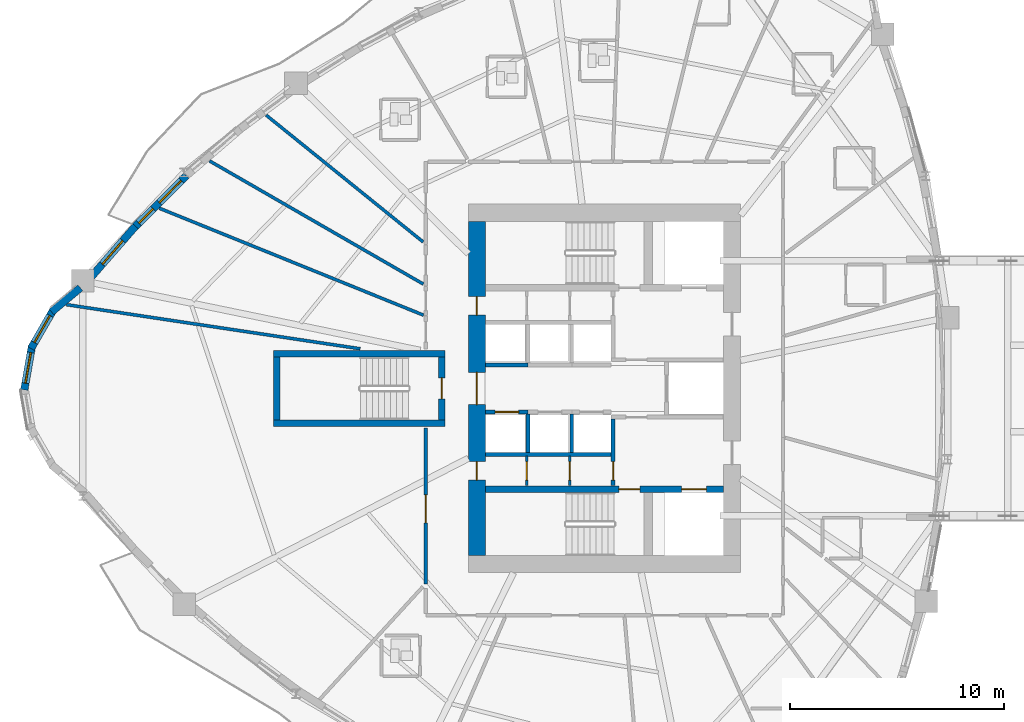
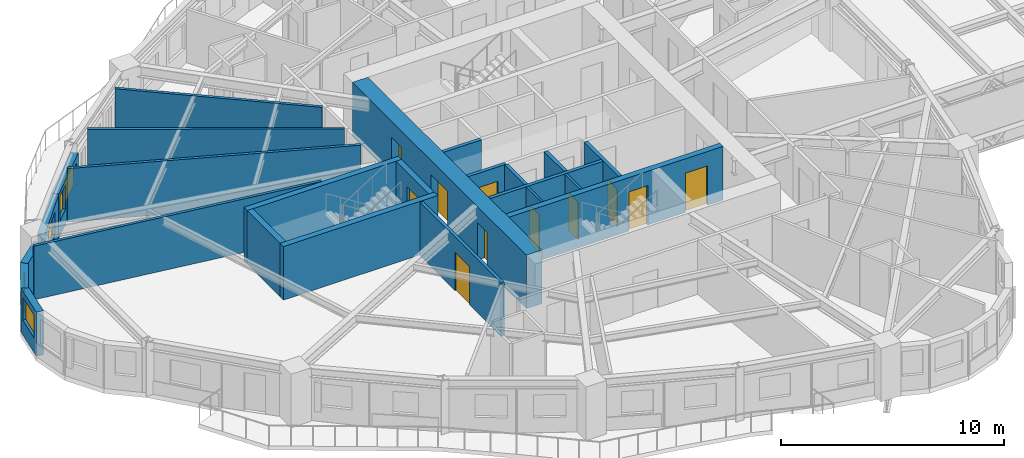
# One storey, part 7 of 18: 24 walls, 11 doors, 5 windows, 16 openings.
"""IFC4 building model written with IfcOpenShell, lengths in metres."""

from ifc_helpers import new_model, si_unit, direction, frame, frame_2d, origin, place, context, subcontext, project, spatial, rectangle, extrude, source, transform, mapped, material, layer, layer_set, type_object, element, fill, save


model = new_model("IFC4")

# Units and contexts
model_context = context("Model", 3, precision=1e-05, world=origin(), true_north=direction((0.0, 1.0)))
body_context = subcontext(model_context, "Body", "Model", "MODEL_VIEW")
ifc_project = project(units=[si_unit("LENGTHUNIT", "METRE"), si_unit("AREAUNIT", "SQUARE_METRE"), si_unit("VOLUMEUNIT", "CUBIC_METRE"), si_unit("PLANEANGLEUNIT", "RADIAN"), si_unit("MASSUNIT", "GRAM", prefix="KILO")], contexts=[model_context])

# Site, building, storey
site_placement = place(None, origin())
site = spatial("IfcSite", under=ifc_project, at=site_placement, CompositionType="ELEMENT")
building_placement = place(site_placement, origin())
building = spatial("IfcBuilding", under=site, at=building_placement, Name="Qafzar Sky-Pleat Residences", CompositionType="ELEMENT")
storey_placement = place(building_placement, frame((0.0, 0.0, 27.0)))
storey = spatial("IfcBuildingStorey", under=building, at=storey_placement, Name="L07", CompositionType="ELEMENT", Elevation=27.0)

# Wall, opening, door
ifc_material_1 = material(Name="Acoustic gypsum plasterboard partition", Category="gypsum")
ifc_layer_1 = layer(ifc_material_1, 0.159912109375)
ifc_layer_set_1 = layer_set([ifc_layer_1], Name="Acoustic gypsum plasterboard partition")
wall_type_1 = type_object("IfcWallType", Name="PART-COR-160", PredefinedType="PARTITIONING", material=ifc_layer_set_1)
wall_1_placement = place(storey_placement, frame((22.02001953125, 16.883056640625, 0.0), z_axis=(0.0, 0.0, 1.0), x_axis=(0.0, 1.0, 0.0)))
wall_1 = element("IfcWall", 1, at=wall_1_placement, inside=storey, type_object=wall_type_1, Name="L07 Partition Wall PART-L07-PW-002", PredefinedType="PARTITIONING", context=body_context, shape_type="SweptSolid", body=[
    extrude(rectangle(XDim=7.266845703125, YDim=0.159912109375, at=frame_2d((3.63330078125, 0.0))), origin(), (0.0, 0.0, 1.0), 2.93505859375),
])
opening_1_placement = place(wall_1_placement, frame((2.844970703125, 0.0, 0.0)))
opening_1 = element("IfcOpeningElement", 2, at=opening_1_placement, cuts=wall_1, Name="Opening ID-05", PredefinedType="OPENING", context=body_context, shape_type="SweptSolid", body=[
    extrude(rectangle(XDim=1.300048828125, YDim=2.10009765625, at=frame_2d((0.64990234375, 1.050048828125))), frame((0.0, 0.08984375, 0.0), z_axis=(0.0, -1.0, 0.0), x_axis=(1.0, 0.0, 0.0)), (0.0, 0.0, 1.0), 0.179931640625),
])
ifc_material_2 = material(Name="Timber-faced fire door", Category="wood")
door_type_1 = type_object("IfcDoorType", Name="DR-LNG-1300", OperationType="DOUBLE_DOOR_SINGLE_SWING", PredefinedType="DOOR", material=ifc_material_2)
shared_shape_1 = source(origin(), body_context, "Body", "SweptSolid", [
    extrude(rectangle(XDim=1.300048828125, YDim=2.10009765625, at=frame_2d((0.64990234375, 1.050048828125))), frame((0.0, 0.02490234375, 0.0), z_axis=(0.0, -1.0, 0.0), x_axis=(1.0, 0.0, 0.0)), (0.0, 0.0, 1.0), 0.050048828125),
])
door_1_placement = place(opening_1_placement, origin())
door_1 = element("IfcDoor", 3, at=door_1_placement, inside=storey, type_object=door_type_1, Name="L07 Academic Seminar Room Door", OperationType="DOUBLE_DOOR_SINGLE_SWING", OverallHeight=2.10009765625, OverallWidth=1.300048828125, PredefinedType="DOOR", context=body_context, shape_type="MappedRepresentation", body=[
    mapped(shared_shape_1, transform((0.0, 0.0, 0.0), x_axis=(1.0, 0.0, 0.0), y_axis=(0.0, 1.0, 0.0), z_axis=(0.0, 0.0, 1.0), scale=1.0)),
])
fill(opening_1, door_1)

ifc_material_3 = material(Name="Concrete blockwork partition", Category="masonry")
ifc_layer_2 = layer(ifc_material_3, 0.179931640625)
ifc_layer_set_2 = layer_set([ifc_layer_2], Name="Concrete blockwork partition")
wall_type_2 = type_object("IfcWallType", Name="PART-SHAFT-180", PredefinedType="PARTITIONING", material=ifc_layer_set_2)
wall_2_placement = place(storey_placement, frame((30.75, 21.4599609375, 0.0), z_axis=(0.0, 0.0, 1.0), x_axis=(0.0, 1.0, 0.0)))
wall_2 = element("IfcWall", 4, at=wall_2_placement, inside=storey, type_object=wall_type_2, Name="L07 Partition Wall PART-L07-FFL1-W", PredefinedType="PARTITIONING", context=body_context, shape_type="SweptSolid", body=[
    extrude(rectangle(XDim=3.110107421875, YDim=0.179931640625, at=frame_2d((1.55517578125, 0.0))), origin(), (0.0, 0.0, 1.0), 2.93505859375),
])
opening_2_placement = place(wall_2_placement, frame((0.260009765625, 0.0, 0.0)))
opening_2 = element("IfcOpeningElement", 5, at=opening_2_placement, cuts=wall_2, Name="Opening ID-09", PredefinedType="OPENING", context=body_context, shape_type="SweptSolid", body=[
    extrude(rectangle(XDim=0.860107421875, YDim=2.050048828125, at=frame_2d((0.43017578125, 1.02490234375))), frame((0.0, 0.10009765625, 0.0), z_axis=(0.0, -1.0, 0.0), x_axis=(1.0, 0.0, 0.0)), (0.0, 0.0, 1.0), 0.199951171875),
])
door_type_2 = type_object("IfcDoorType", Name="DR-SVC-860", OperationType="NOTDEFINED", PredefinedType="DOOR", material=ifc_material_2)
shared_shape_2 = source(origin(), body_context, "Body", "SweptSolid", [
    extrude(rectangle(XDim=0.860107421875, YDim=2.050048828125, at=frame_2d((0.43017578125, 1.02490234375))), frame((0.0, 0.02490234375, 0.0), z_axis=(0.0, -1.0, 0.0), x_axis=(1.0, 0.0, 0.0)), (0.0, 0.0, 1.0), 0.050048828125),
])
door_2_placement = place(opening_2_placement, origin())
door_2 = element("IfcDoor", 6, at=door_2_placement, inside=storey, type_object=door_type_2, Name="L07 South Core Cupboard Door", OperationType="SINGLE_SWING_RIGHT", OverallHeight=2.050048828125, OverallWidth=0.860107421875, PredefinedType="DOOR", context=body_context, shape_type="MappedRepresentation", body=[
    mapped(shared_shape_2, transform((0.0, 0.0, 0.0), x_axis=(1.0, 0.0, 0.0), y_axis=(0.0, 1.0, 0.0), z_axis=(0.0, 0.0, 1.0), scale=1.0)),
])
fill(opening_2, door_2)

# Wall
wall_3_placement = place(storey_placement, frame((24.81005859375, 22.919921875, 0.0), z_axis=(0.0, 0.0, 1.0), x_axis=(1.0, 0.0, 0.0)))
element("IfcWall", 7, at=wall_3_placement, inside=storey, type_object=wall_type_2, Name="L07 Partition Wall PART-L07-P13-S", PredefinedType="PARTITIONING", context=body_context, shape_type="SweptSolid", body=[
    extrude(rectangle(XDim=5.83984375, YDim=0.179931640625, at=frame_2d((2.919921875, 0.0))), origin(), (0.0, 0.0, 1.0), 2.93505859375),
])

# Wall, opening, door
wall_4_placement = place(storey_placement, frame((24.81005859375, 24.89990234375, 0.0), z_axis=(0.0, 0.0, 1.0), x_axis=(1.0, 0.0, 0.0)))
wall_4 = element("IfcWall", 8, at=wall_4_placement, inside=storey, type_object=wall_type_2, Name="L07 Partition Wall PART-L07-P1-N", PredefinedType="PARTITIONING", context=body_context, shape_type="SweptSolid", body=[
    extrude(rectangle(XDim=1.96484375, YDim=0.179931640625, at=frame_2d((0.982421875, 0.0))), origin(), (0.0, 0.0, 1.0), 2.93505859375),
])
opening_3_placement = place(wall_4_placement, frame((0.4326171875, 0.0, 0.0)))
opening_3 = element("IfcOpeningElement", 9, at=opening_3_placement, cuts=wall_4, Name="Opening LD-01", PredefinedType="OPENING", context=body_context, shape_type="SweptSolid", body=[
    extrude(rectangle(XDim=1.10009765625, YDim=2.14990234375, at=frame_2d((0.550048828125, 1.074951171875))), frame((0.0, 0.10009765625, 0.0), z_axis=(0.0, -1.0, 0.0), x_axis=(1.0, 0.0, 0.0)), (0.0, 0.0, 1.0), 0.199951171875),
])
ifc_material_4 = material(Name="Stainless steel sliding landing door", Category="steel")
door_type_3 = type_object("IfcDoorType", Name="DR-LIFT-P", OperationType="DOUBLE_DOOR_SLIDING", PredefinedType="DOOR", material=ifc_material_4)
shared_shape_3 = source(origin(), body_context, "Body", "SweptSolid", [
    extrude(rectangle(XDim=1.10009765625, YDim=2.14990234375, at=frame_2d((0.550048828125, 1.074951171875))), frame((0.0, 0.02490234375, 0.0), z_axis=(0.0, -1.0, 0.0), x_axis=(1.0, 0.0, 0.0)), (0.0, 0.0, 1.0), 0.050048828125),
])
door_3_placement = place(opening_3_placement, origin())
door_3 = element("IfcDoor", 10, at=door_3_placement, inside=storey, type_object=door_type_3, Name="L07 Passenger Lift P1 Landing Door", OperationType="DOUBLE_DOOR_SLIDING", OverallHeight=2.14990234375, OverallWidth=1.10009765625, PredefinedType="DOOR", context=body_context, shape_type="MappedRepresentation", body=[
    mapped(shared_shape_3, transform((0.0, 0.0, 0.0), x_axis=(1.0, 0.0, 0.0), y_axis=(0.0, 1.0, 0.0), z_axis=(0.0, 0.0, 1.0), scale=1.0)),
])
fill(opening_3, door_3)

# Walls
for number, where, z_axis, x_axis, name in (
    (11, (26.77490234375, 23.02001953125, 0.0), (0.0, 0.0, 1.0), (0.0, 1.0, 0.0), "L07 Partition Wall PART-L07-P13-DIV-1"),
    (12, (28.824951171875, 23.02001953125, 0.0), (0.0, 0.0, 1.0), (0.0, 1.0, 0.0), "L07 Partition Wall PART-L07-P13-DIV-2"),
):
    element("IfcWall", number, at=place(storey_placement, frame(where, z_axis=z_axis, x_axis=x_axis)), inside=storey, type_object=wall_type_2, Name=name, PredefinedType="PARTITIONING", context=body_context, shape_type="SweptSolid", body=[
        extrude(rectangle(XDim=1.780029296875, YDim=0.179931640625, at=frame_2d((0.89013671875, 0.0))), origin(), (0.0, 0.0, 1.0), 2.93505859375),
    ])
wall_5_placement = place(storey_placement, frame((24.81005859375, 27.10009765625, 0.0), z_axis=(0.0, 0.0, 1.0), x_axis=(1.0, 0.0, 0.0)))
element("IfcWall", 13, at=wall_5_placement, inside=storey, type_object=wall_type_2, Name="L07 Partition Wall PART-L07-P4-S", PredefinedType="PARTITIONING", context=body_context, shape_type="SweptSolid", body=[
    extrude(rectangle(XDim=1.96484375, YDim=0.179931640625, at=frame_2d((0.982421875, 0.0))), origin(), (0.0, 0.0, 1.0), 2.93505859375),
])

# Wall, opening, door
ifc_material_5 = material(Name="Gypsum plasterboard partition", Category="gypsum")
ifc_layer_3 = layer(ifc_material_5, 0.114990234375)
ifc_layer_set_3 = layer_set([ifc_layer_3], Name="Gypsum plasterboard partition")
wall_type_3 = type_object("IfcWallType", Name="PART-SVC-115", PredefinedType="PARTITIONING", material=ifc_layer_set_3)
wall_6_placement = place(storey_placement, frame((26.72509765625, 21.4599609375, 0.0), z_axis=(0.0, 0.0, 1.0), x_axis=(0.0, 1.0, 0.0)))
wall_6 = element("IfcWall", 14, at=wall_6_placement, inside=storey, type_object=wall_type_3, Name="L07 Partition Wall PART-L07-KC-SW-1", PredefinedType="PARTITIONING", context=body_context, shape_type="SweptSolid", body=[
    extrude(rectangle(XDim=1.380126953125, YDim=0.114990234375, at=frame_2d((0.68994140625, 0.0))), origin(), (0.0, 0.0, 1.0), 2.93505859375),
])
opening_4_placement = place(wall_6_placement, frame((0.260009765625, 0.0, 0.0)))
opening_4 = element("IfcOpeningElement", 15, at=opening_4_placement, cuts=wall_6, Name="Opening ID-09", PredefinedType="OPENING", context=body_context, shape_type="SweptSolid", body=[
    extrude(rectangle(XDim=0.860107421875, YDim=2.050048828125, at=frame_2d((0.43017578125, 1.02490234375))), frame((0.0, 0.0673828125, 0.0), z_axis=(0.0, -1.0, 0.0), x_axis=(1.0, 0.0, 0.0)), (0.0, 0.0, 1.0), 0.135009765625),
])
door_4_placement = place(opening_4_placement, origin())
door_4 = element("IfcDoor", 16, at=door_4_placement, inside=storey, type_object=door_type_2, Name="L07 Core South Cupboard 1 Door", OperationType="SINGLE_SWING_RIGHT", OverallHeight=2.050048828125, OverallWidth=0.860107421875, PredefinedType="DOOR", context=body_context, shape_type="MappedRepresentation", body=[
    mapped(shared_shape_2, transform((0.0, 0.0, 0.0), x_axis=(1.0, 0.0, 0.0), y_axis=(0.0, 1.0, 0.0), z_axis=(0.0, 0.0, 1.0), scale=1.0)),
])
fill(opening_4, door_4)

wall_7_placement = place(storey_placement, frame((28.72509765625, 21.4599609375, 0.0), z_axis=(0.0, 0.0, 1.0), x_axis=(0.0, 1.0, 0.0)))
wall_7 = element("IfcWall", 17, at=wall_7_placement, inside=storey, type_object=wall_type_3, Name="L07 Partition Wall PART-L07-KC-SW-2", PredefinedType="PARTITIONING", context=body_context, shape_type="SweptSolid", body=[
    extrude(rectangle(XDim=1.380126953125, YDim=0.114990234375, at=frame_2d((0.68994140625, 0.0))), origin(), (0.0, 0.0, 1.0), 2.93505859375),
])
opening_5_placement = place(wall_7_placement, frame((0.260009765625, 0.0, 0.0)))
opening_5 = element("IfcOpeningElement", 18, at=opening_5_placement, cuts=wall_7, Name="Opening ID-09", PredefinedType="OPENING", context=body_context, shape_type="SweptSolid", body=[
    extrude(rectangle(XDim=0.860107421875, YDim=2.050048828125, at=frame_2d((0.43017578125, 1.02490234375))), frame((0.0, 0.0673828125, 0.0), z_axis=(0.0, -1.0, 0.0), x_axis=(1.0, 0.0, 0.0)), (0.0, 0.0, 1.0), 0.135009765625),
])
door_5_placement = place(opening_5_placement, origin())
door_5 = element("IfcDoor", 19, at=door_5_placement, inside=storey, type_object=door_type_2, Name="L07 Core South Cupboard 2 Door", OperationType="SINGLE_SWING_RIGHT", OverallHeight=2.050048828125, OverallWidth=0.860107421875, PredefinedType="DOOR", context=body_context, shape_type="MappedRepresentation", body=[
    mapped(shared_shape_2, transform((0.0, 0.0, 0.0), x_axis=(1.0, 0.0, 0.0), y_axis=(0.0, 1.0, 0.0), z_axis=(0.0, 0.0, 1.0), scale=1.0)),
])
fill(opening_5, door_5)

# Walls
ifc_layer_4 = layer(ifc_material_1, 0.14501953125)
ifc_layer_set_4 = layer_set([ifc_layer_4], Name="Acoustic gypsum plasterboard partition")
wall_type_4 = type_object("IfcWallType", Name="PART-UNIT-145", PredefinedType="PARTITIONING", material=ifc_layer_set_4)
wall_8_placement = place(storey_placement, frame((5.242431640625, 29.91015625, 0.0), z_axis=(0.0, 0.0, 1.0), x_axis=(0.988899381561, -0.148586719285, 0.0)))
element("IfcWall", 20, at=wall_8_placement, inside=storey, type_object=wall_type_4, Name="L07 Partition Wall PART-L07-PW-033", PredefinedType="PARTITIONING", context=body_context, shape_type="SweptSolid", body=[
    extrude(rectangle(XDim=13.8642578125, YDim=0.14501953125, at=frame_2d((6.93212890625, 0.0))), origin(), (0.0, 0.0, 1.0), 2.93505859375),
])
wall_9_placement = place(storey_placement, frame((9.577392578125, 34.410400390625, 0.0), z_axis=(0.0, 0.0, 1.0), x_axis=(0.926920362809, -0.375258099194, 0.0)))
element("IfcWall", 21, at=wall_9_placement, inside=storey, type_object=wall_type_4, Name="L07 Partition Wall PART-L07-PW-034", PredefinedType="PARTITIONING", context=body_context, shape_type="SweptSolid", body=[
    extrude(rectangle(XDim=13.300048828125, YDim=0.14501953125, at=frame_2d((6.64990234375, 0.0))), origin(), (0.0, 0.0, 1.0), 2.93505859375),
])
wall_10_placement = place(storey_placement, frame((11.92041015625, 36.617919921875, 0.0), z_axis=(0.0, 0.0, 1.0), x_axis=(0.866473494239, -0.499223080177, 0.0)))
element("IfcWall", 22, at=wall_10_placement, inside=storey, type_object=wall_type_4, Name="L07 Partition Wall PART-L07-PW-036", PredefinedType="PARTITIONING", context=body_context, shape_type="SweptSolid", body=[
    extrude(rectangle(XDim=11.513916015625, YDim=0.14501953125, at=frame_2d((5.7568359375, 0.0))), origin(), (0.0, 0.0, 1.0), 2.93505859375),
])
wall_11_placement = place(storey_placement, frame((14.56591796875, 38.750732421875, 0.0), z_axis=(0.0, 0.0, 1.0), x_axis=(0.777881688073, -0.628410756879, 0.0)))
element("IfcWall", 23, at=wall_11_placement, inside=storey, type_object=wall_type_4, Name="L07 Partition Wall PART-L07-PW-038", PredefinedType="PARTITIONING", context=body_context, shape_type="SweptSolid", body=[
    extrude(rectangle(XDim=9.4130859375, YDim=0.14501953125, at=frame_2d((4.70654296875, 0.0))), origin(), (0.0, 0.0, 1.0), 2.93505859375),
])
ifc_material_6 = material(Name="Precast concrete C40/50 with honed Riyadh limestone", Category="concrete")
ifc_layer_5 = layer(ifc_material_6, 0.35009765625)
ifc_layer_set_5 = layer_set([ifc_layer_5], Name="Precast concrete C40/50 with honed Riyadh limestone")
wall_type_5 = type_object("IfcWallType", Name="WALL-EXT-350", PredefinedType="SOLIDWALL", material=ifc_layer_set_5)
wall_12_placement = place(storey_placement, frame((5.892578125, 30.696044921875, 0.0), z_axis=(0.0, 0.0, 1.0), x_axis=(-0.766001205563, -0.64283913468, 0.0)))
element("IfcWall", 24, at=wall_12_placement, inside=storey, type_object=wall_type_5, Name="L07 Limestone Facade Wall 1", PredefinedType="SOLIDWALL", context=body_context, shape_type="SweptSolid", body=[
    extrude(rectangle(XDim=1.75244140625, YDim=0.35009765625, at=frame_2d((0.876220703125, 0.0))), origin(), (0.0, 0.0, 1.0), 2.4150390625),
])

# Wall, opening, window
wall_13_placement = place(storey_placement, frame((4.637451171875, 29.673583984375, 0.0), z_axis=(0.0, 0.0, 1.0), x_axis=(-0.499995423472, -0.866028046028, 0.0)))
wall_13 = element("IfcWall", 25, at=wall_13_placement, inside=storey, type_object=wall_type_5, Name="L07 Limestone Facade Wall 2", PredefinedType="SOLIDWALL", context=body_context, shape_type="SweptSolid", body=[
    extrude(rectangle(XDim=2.09033203125, YDim=0.35009765625, at=frame_2d((1.045166015625, 0.0))), origin(), (0.0, 0.0, 1.0), 2.4150390625),
])
opening_6_placement = place(wall_13_placement, frame((0.3203125, 0.0, 0.820068359375)))
opening_6 = element("IfcOpeningElement", 26, at=opening_6_placement, cuts=wall_13, Name="Opening WN-15", PredefinedType="OPENING", context=body_context, shape_type="SweptSolid", body=[
    extrude(rectangle(XDim=1.449951171875, YDim=1.25, at=frame_2d((0.72509765625, 0.625))), frame((0.0, 0.18505859375, 0.0), z_axis=(0.0, -1.0, 0.0), x_axis=(1.0, 0.0, 0.0)), (0.0, 0.0, 1.0), 0.3701171875),
])
ifc_material_7 = material(Name="Solar-control low-E glass in bronze aluminium frame", Category="glass")
window_type_1 = type_object("IfcWindowType", Name="WIN-15", PartitioningType="SINGLE_PANEL", PredefinedType="WINDOW", material=ifc_material_7)
shared_shape_4 = source(origin(), body_context, "Body", "SweptSolid", [
    extrude(rectangle(XDim=1.449951171875, YDim=1.25, at=frame_2d((0.72509765625, 0.625))), frame((0.0, 0.030029296875, 0.0), z_axis=(0.0, -1.0, 0.0), x_axis=(1.0, 0.0, 0.0)), (0.0, 0.0, 1.0), 0.06005859375),
])
window_1_placement = place(opening_6_placement, origin())
window_1 = element("IfcWindow", 27, at=window_1_placement, inside=storey, type_object=window_type_1, Name="L07 Punched Facade Window 02", OverallHeight=1.25, OverallWidth=1.449951171875, PartitioningType="SINGLE_PANEL", PredefinedType="WINDOW", context=body_context, shape_type="MappedRepresentation", body=[
    mapped(shared_shape_4, transform((0.0, 0.0, 0.0), x_axis=(1.0, 0.0, 0.0), y_axis=(0.0, 1.0, 0.0), z_axis=(0.0, 0.0, 1.0), scale=1.0)),
])
fill(opening_6, window_1)

wall_14_placement = place(storey_placement, frame((3.638671875, 27.99072265625, 0.0), z_axis=(0.0, 0.0, 1.0), x_axis=(-0.173672066494, -0.984803540469, 0.0)))
wall_14 = element("IfcWall", 28, at=wall_14_placement, inside=storey, type_object=wall_type_5, Name="L07 Limestone Facade Wall 3", PredefinedType="SOLIDWALL", context=body_context, shape_type="SweptSolid", body=[
    extrude(rectangle(XDim=2.09033203125, YDim=0.35009765625, at=frame_2d((1.045166015625, 0.0))), origin(), (0.0, 0.0, 1.0), 2.4150390625),
])
opening_7_placement = place(wall_14_placement, frame((0.3203125, 0.0, 0.820068359375)))
opening_7 = element("IfcOpeningElement", 29, at=opening_7_placement, cuts=wall_14, Name="Opening WN-15", PredefinedType="OPENING", context=body_context, shape_type="SweptSolid", body=[
    extrude(rectangle(XDim=1.449951171875, YDim=1.25, at=frame_2d((0.72509765625, 0.625))), frame((0.0, 0.18505859375, 0.0), z_axis=(0.0, -1.0, 0.0), x_axis=(1.0, 0.0, 0.0)), (0.0, 0.0, 1.0), 0.3701171875),
])
window_2_placement = place(opening_7_placement, origin())
window_2 = element("IfcWindow", 30, at=window_2_placement, inside=storey, type_object=window_type_1, Name="L07 Punched Facade Window 03", OverallHeight=1.25, OverallWidth=1.449951171875, PartitioningType="SINGLE_PANEL", PredefinedType="WINDOW", context=body_context, shape_type="MappedRepresentation", body=[
    mapped(shared_shape_4, transform((0.0, 0.0, 0.0), x_axis=(1.0, 0.0, 0.0), y_axis=(0.0, 1.0, 0.0), z_axis=(0.0, 0.0, 1.0), scale=1.0)),
])
fill(opening_7, window_2)

# Wall, openings, windows
wall_15_placement = place(storey_placement, frame((10.84130859375, 35.932373046875, 0.0), z_axis=(0.0, 0.0, 1.0), x_axis=(-0.708383272101, -0.70582798174, 0.0)))
wall_15 = element("IfcWall", 31, at=wall_15_placement, inside=storey, type_object=wall_type_5, Name="L07 Limestone Facade Wall 47", PredefinedType="SOLIDWALL", context=body_context, shape_type="SweptSolid", body=[
    extrude(rectangle(XDim=3.439453125, YDim=0.35009765625, at=frame_2d((1.7197265625, 0.0))), origin(), (0.0, 0.0, 1.0), 2.4150390625),
])
opening_8_placement = place(wall_15_placement, frame((0.334228515625, 0.0, 0.820068359375)))
opening_8 = element("IfcOpeningElement", 32, at=opening_8_placement, cuts=wall_15, Name="Opening WN-15", PredefinedType="OPENING", context=body_context, shape_type="SweptSolid", body=[
    extrude(rectangle(XDim=1.449951171875, YDim=1.25, at=frame_2d((0.72509765625, 0.625))), frame((0.0, 0.18505859375, 0.0), z_axis=(0.0, -1.0, 0.0), x_axis=(1.0, 0.0, 0.0)), (0.0, 0.0, 1.0), 0.3701171875),
])
opening_9_placement = place(wall_15_placement, frame((2.194091796875, 0.0, 0.820068359375)))
opening_9 = element("IfcOpeningElement", 33, at=opening_9_placement, cuts=wall_15, Name="Opening WN-12", PredefinedType="OPENING", context=body_context, shape_type="SweptSolid", body=[
    extrude(rectangle(XDim=0.949951171875, YDim=1.35009765625, at=frame_2d((0.47509765625, 0.675048828125))), frame((0.0, 0.18505859375, 0.0), z_axis=(0.0, -1.0, 0.0), x_axis=(1.0, 0.0, 0.0)), (0.0, 0.0, 1.0), 0.3701171875),
])
window_type_2 = type_object("IfcWindowType", Name="WIN-12", PartitioningType="SINGLE_PANEL", PredefinedType="WINDOW", material=ifc_material_7)
shared_shape_5 = source(origin(), body_context, "Body", "SweptSolid", [
    extrude(rectangle(XDim=0.949951171875, YDim=1.35009765625, at=frame_2d((0.47509765625, 0.675048828125))), frame((0.0, 0.030029296875, 0.0), z_axis=(0.0, -1.0, 0.0), x_axis=(1.0, 0.0, 0.0)), (0.0, 0.0, 1.0), 0.06005859375),
])
window_3_placement = place(opening_9_placement, origin())
window_3 = element("IfcWindow", 34, at=window_3_placement, inside=storey, type_object=window_type_2, Name="L07 Punched Facade Window 47-2", OverallHeight=1.35009765625, OverallWidth=0.949951171875, PartitioningType="SINGLE_PANEL", PredefinedType="WINDOW", context=body_context, shape_type="MappedRepresentation", body=[
    mapped(shared_shape_5, transform((0.0, 0.0, 0.0), x_axis=(1.0, 0.0, 0.0), y_axis=(0.0, 1.0, 0.0), z_axis=(0.0, 0.0, 1.0), scale=1.0)),
])
fill(opening_9, window_3)
window_4_placement = place(opening_8_placement, origin())
window_4 = element("IfcWindow", 35, at=window_4_placement, inside=storey, type_object=window_type_1, Name="L07 Punched Facade Window 47", OverallHeight=1.25, OverallWidth=1.449951171875, PartitioningType="SINGLE_PANEL", PredefinedType="WINDOW", context=body_context, shape_type="MappedRepresentation", body=[
    mapped(shared_shape_4, transform((0.0, 0.0, 0.0), x_axis=(1.0, 0.0, 0.0), y_axis=(0.0, 1.0, 0.0), z_axis=(0.0, 0.0, 1.0), scale=1.0)),
])
fill(opening_8, window_4)

# Wall, opening, window
wall_16_placement = place(storey_placement, frame((8.46484375, 33.569091796875, 0.0), z_axis=(0.0, 0.0, 1.0), x_axis=(-0.657600500685, -0.753366830634, 0.0)))
wall_16 = element("IfcWall", 36, at=wall_16_placement, inside=storey, type_object=wall_type_5, Name="L07 Limestone Facade Wall 48", PredefinedType="SOLIDWALL", context=body_context, shape_type="SweptSolid", body=[
    extrude(rectangle(XDim=3.232666015625, YDim=0.35009765625, at=frame_2d((1.6162109375, 0.0))), origin(), (0.0, 0.0, 1.0), 2.4150390625),
])
opening_10_placement = place(wall_16_placement, frame((0.896240234375, 0.0, 0.820068359375)))
opening_10 = element("IfcOpeningElement", 37, at=opening_10_placement, cuts=wall_16, Name="Opening WN-15", PredefinedType="OPENING", context=body_context, shape_type="SweptSolid", body=[
    extrude(rectangle(XDim=1.449951171875, YDim=1.25, at=frame_2d((0.72509765625, 0.625))), frame((0.0, 0.18505859375, 0.0), z_axis=(0.0, -1.0, 0.0), x_axis=(1.0, 0.0, 0.0)), (0.0, 0.0, 1.0), 0.3701171875),
])
window_5_placement = place(opening_10_placement, origin())
window_5 = element("IfcWindow", 38, at=window_5_placement, inside=storey, type_object=window_type_1, Name="L07 Punched Facade Window 48", OverallHeight=1.25, OverallWidth=1.449951171875, PartitioningType="SINGLE_PANEL", PredefinedType="WINDOW", context=body_context, shape_type="MappedRepresentation", body=[
    mapped(shared_shape_4, transform((0.0, 0.0, 0.0), x_axis=(1.0, 0.0, 0.0), y_axis=(0.0, 1.0, 0.0), z_axis=(0.0, 0.0, 1.0), scale=1.0)),
])
fill(opening_10, window_5)

# Wall, openings, doors
ifc_material_8 = material(Name="Concrete C60/75", Category="concrete")
ifc_layer_6 = layer(ifc_material_8, 0.300048828125)
ifc_layer_set_6 = layer_set([ifc_layer_6], Name="Concrete C60/75")
wall_type_6 = type_object("IfcWallType", Name="WALL-SHEAR-300", PredefinedType="SHEAR", material=ifc_layer_set_6)
wall_17_placement = place(storey_placement, frame((24.800048828125, 21.300048828125, 0.0), z_axis=(0.0, 0.0, 1.0), x_axis=(1.0, 0.0, 0.0)))
wall_17 = element("IfcWall", 39, at=wall_17_placement, inside=storey, type_object=wall_type_6, Name="L07 Stair ST1 and FF1 Shaft North Wall", PredefinedType="SHEAR", context=body_context, shape_type="SweptSolid", body=[
    extrude(rectangle(XDim=11.099853515625, YDim=0.300048828125, at=frame_2d((5.5498046875, 0.0))), origin(), (0.0, 0.0, 1.0), 2.93505859375),
])
opening_11_placement = place(wall_17_placement, frame((6.219970703125, 0.0, 0.0)))
opening_11 = element("IfcOpeningElement", 40, at=opening_11_placement, cuts=wall_17, Name="Opening ID-01", PredefinedType="OPENING", context=body_context, shape_type="SweptSolid", body=[
    extrude(rectangle(XDim=0.97998046875, YDim=2.14990234375, at=frame_2d((0.489990234375, 1.074951171875))), frame((0.0, 0.16015625, 0.0), z_axis=(0.0, -1.0, 0.0), x_axis=(1.0, 0.0, 0.0)), (0.0, 0.0, 1.0), 0.320068359375),
])
opening_12_placement = place(wall_17_placement, frame((9.14990234375, 0.0, 0.0)))
opening_12 = element("IfcOpeningElement", 41, at=opening_12_placement, cuts=wall_17, Name="Opening LD-02", PredefinedType="OPENING", context=body_context, shape_type="SweptSolid", body=[
    extrude(rectangle(XDim=1.14990234375, YDim=2.14990234375, at=frame_2d((0.574951171875, 1.074951171875))), frame((0.0, 0.16015625, 0.0), z_axis=(0.0, -1.0, 0.0), x_axis=(1.0, 0.0, 0.0)), (0.0, 0.0, 1.0), 0.320068359375),
])
door_type_4 = type_object("IfcDoorType", Name="DR-STAIR-980", OperationType="NOTDEFINED", PredefinedType="DOOR", material=ifc_material_2)
shared_shape_6 = source(origin(), body_context, "Body", "SweptSolid", [
    extrude(rectangle(XDim=0.97998046875, YDim=2.14990234375, at=frame_2d((0.489990234375, 1.074951171875))), frame((0.0, 0.02490234375, 0.0), z_axis=(0.0, -1.0, 0.0), x_axis=(1.0, 0.0, 0.0)), (0.0, 0.0, 1.0), 0.050048828125),
])
door_6_placement = place(opening_11_placement, origin())
door_6 = element("IfcDoor", 42, at=door_6_placement, inside=storey, type_object=door_type_4, Name="L07 Stair ST1 Fire Door", OperationType="SINGLE_SWING_LEFT", OverallHeight=2.14990234375, OverallWidth=0.97998046875, PredefinedType="DOOR", context=body_context, shape_type="MappedRepresentation", body=[
    mapped(shared_shape_6, transform((0.0, 0.0, 0.0), x_axis=(1.0, 0.0, 0.0), y_axis=(0.0, 1.0, 0.0), z_axis=(0.0, 0.0, 1.0), scale=1.0)),
])
fill(opening_11, door_6)
door_type_5 = type_object("IfcDoorType", Name="DR-LIFT-FF", OperationType="DOUBLE_DOOR_SLIDING", PredefinedType="DOOR", material=ifc_material_4)
shared_shape_7 = source(origin(), body_context, "Body", "SweptSolid", [
    extrude(rectangle(XDim=1.14990234375, YDim=2.14990234375, at=frame_2d((0.574951171875, 1.074951171875))), frame((0.0, 0.02490234375, 0.0), z_axis=(0.0, -1.0, 0.0), x_axis=(1.0, 0.0, 0.0)), (0.0, 0.0, 1.0), 0.050048828125),
])
door_7_placement = place(opening_12_placement, origin())
door_7 = element("IfcDoor", 43, at=door_7_placement, inside=storey, type_object=door_type_5, Name="L07 Firefighting Lift FF1 Landing Door", OperationType="DOUBLE_DOOR_SLIDING", OverallHeight=2.14990234375, OverallWidth=1.14990234375, PredefinedType="DOOR", context=body_context, shape_type="MappedRepresentation", body=[
    mapped(shared_shape_7, transform((0.0, 0.0, 0.0), x_axis=(1.0, 0.0, 0.0), y_axis=(0.0, 1.0, 0.0), z_axis=(0.0, 0.0, 1.0), scale=1.0)),
])
fill(opening_12, door_7)

# Walls
for number, where, z_axis, x_axis, name in (
    (44, (14.89990234375, 24.375, 0.0), (0.0, 0.0, 1.0), (1.0, 0.0, 0.0), "L07 ST3 wall S"),
    (45, (22.89990234375, 27.625, 0.0), (0.0, 0.0, 1.0), (-1.0, 0.0, 0.0), "L07 ST3 wall N"),
):
    element("IfcWall", number, at=place(storey_placement, frame(where, z_axis=z_axis, x_axis=x_axis)), inside=storey, type_object=wall_type_6, Name=name, PredefinedType="SHEAR", context=body_context, shape_type="SweptSolid", body=[
        extrude(rectangle(XDim=8.0, YDim=0.300048828125, at=frame_2d((4.0, 0.0))), origin(), (0.0, 0.0, 1.0), 2.93505859375),
    ])
wall_18_placement = place(storey_placement, frame((15.050048828125, 27.47509765625, 0.0), z_axis=(0.0, 0.0, 1.0), x_axis=(0.0, -1.0, 0.0)))
element("IfcWall", 46, at=wall_18_placement, inside=storey, type_object=wall_type_6, Name="L07 ST3 wall W", PredefinedType="SHEAR", context=body_context, shape_type="SweptSolid", body=[
    extrude(rectangle(XDim=2.9501953125, YDim=0.300048828125, at=frame_2d((1.47509765625, 0.0))), origin(), (0.0, 0.0, 1.0), 2.93505859375),
])

# Wall, opening, door
wall_19_placement = place(storey_placement, frame((22.75, 24.52490234375, 0.0), z_axis=(0.0, 0.0, 1.0), x_axis=(0.0, 1.0, 0.0)))
wall_19 = element("IfcWall", 47, at=wall_19_placement, inside=storey, type_object=wall_type_6, Name="L07 ST3 wall E", PredefinedType="SHEAR", context=body_context, shape_type="SweptSolid", body=[
    extrude(rectangle(XDim=2.9501953125, YDim=0.300048828125, at=frame_2d((1.47509765625, 0.0))), origin(), (0.0, 0.0, 1.0), 2.93505859375),
])
opening_13_placement = place(wall_19_placement, frame((0.985107421875, 0.0, 0.0)))
opening_13 = element("IfcOpeningElement", 48, at=opening_13_placement, cuts=wall_19, Name="Opening ID-01", PredefinedType="OPENING", context=body_context, shape_type="SweptSolid", body=[
    extrude(rectangle(XDim=0.97998046875, YDim=2.14990234375, at=frame_2d((0.489990234375, 1.074951171875))), frame((0.0, 0.16015625, 0.0), z_axis=(0.0, -1.0, 0.0), x_axis=(1.0, 0.0, 0.0)), (0.0, 0.0, 1.0), 0.320068359375),
])
door_8_placement = place(opening_13_placement, origin())
door_8 = element("IfcDoor", 49, at=door_8_placement, inside=storey, type_object=door_type_4, Name="L07 Stair ST3 Fire Door", OperationType="SINGLE_SWING_LEFT", OverallHeight=2.14990234375, OverallWidth=0.97998046875, PredefinedType="DOOR", context=body_context, shape_type="MappedRepresentation", body=[
    mapped(shared_shape_6, transform((0.0, 0.0, 0.0), x_axis=(1.0, 0.0, 0.0), y_axis=(0.0, 1.0, 0.0), z_axis=(0.0, 0.0, 1.0), scale=1.0)),
])
fill(opening_13, door_8)

# Wall, openings, doors
ifc_layer_7 = layer(ifc_material_8, 0.800048828125)
ifc_layer_set_7 = layer_set([ifc_layer_7], Name="Concrete C60/75")
wall_type_7 = type_object("IfcWallType", Name="WALL-SHEAR-800", PredefinedType="SHEAR", material=ifc_layer_set_7)
wall_20_placement = place(storey_placement, frame((24.39990234375, 33.800048828125, 0.0), z_axis=(0.0, 0.0, 1.0), x_axis=(0.0, -1.0, 0.0)))
wall_20 = element("IfcWall", 50, at=wall_20_placement, inside=storey, type_object=wall_type_7, Name="L07 CORE wall W", PredefinedType="SHEAR", context=body_context, shape_type="SweptSolid", body=[
    extrude(rectangle(XDim=15.60009765625, YDim=0.800048828125, at=frame_2d((7.800048828125, 0.0))), origin(), (0.0, 0.0, 1.0), 2.93505859375),
])
opening_14_placement = place(wall_20_placement, frame((7.050048828125, 0.0, 0.0)))
opening_14 = element("IfcOpeningElement", 51, at=opening_14_placement, cuts=wall_20, Name="Opening ID-03", PredefinedType="OPENING", context=body_context, shape_type="SweptSolid", body=[
    extrude(rectangle(XDim=1.5, YDim=2.14990234375, at=frame_2d((0.75, 1.074951171875))), frame((0.0, 0.41015625, 0.0), z_axis=(0.0, -1.0, 0.0), x_axis=(1.0, 0.0, 0.0)), (0.0, 0.0, 1.0), 0.820068359375),
])
opening_15_placement = place(wall_20_placement, frame((3.52001953125, 0.0, 0.0)))
opening_15 = element("IfcOpeningElement", 52, at=opening_15_placement, cuts=wall_20, Name="Opening ID-09", PredefinedType="OPENING", context=body_context, shape_type="SweptSolid", body=[
    extrude(rectangle(XDim=0.860107421875, YDim=2.050048828125, at=frame_2d((0.43017578125, 1.02490234375))), frame((0.0, 0.41015625, 0.0), z_axis=(0.0, -1.0, 0.0), x_axis=(1.0, 0.0, 0.0)), (0.0, 0.0, 1.0), 0.820068359375),
])
opening_16_placement = place(wall_20_placement, frame((11.219970703125, 0.0, 0.0)))
opening_16 = element("IfcOpeningElement", 53, at=opening_16_placement, cuts=wall_20, Name="Opening ID-09", PredefinedType="OPENING", context=body_context, shape_type="SweptSolid", body=[
    extrude(rectangle(XDim=0.860107421875, YDim=2.050048828125, at=frame_2d((0.43017578125, 1.02490234375))), frame((0.0, 0.41015625, 0.0), z_axis=(0.0, -1.0, 0.0), x_axis=(1.0, 0.0, 0.0)), (0.0, 0.0, 1.0), 0.820068359375),
])
door_type_6 = type_object("IfcDoorType", Name="DR-COR-1500", OperationType="DOUBLE_DOOR_SINGLE_SWING", PredefinedType="DOOR", material=ifc_material_2)
shared_shape_8 = source(origin(), body_context, "Body", "SweptSolid", [
    extrude(rectangle(XDim=1.5, YDim=2.14990234375, at=frame_2d((0.75, 1.074951171875))), frame((0.0, 0.02490234375, 0.0), z_axis=(0.0, -1.0, 0.0), x_axis=(1.0, 0.0, 0.0)), (0.0, 0.0, 1.0), 0.050048828125),
])
door_9_placement = place(opening_14_placement, origin())
door_9 = element("IfcDoor", 54, at=door_9_placement, inside=storey, type_object=door_type_6, Name="L07 Lift Lobby West Double Door", OperationType="DOUBLE_DOOR_SINGLE_SWING", OverallHeight=2.14990234375, OverallWidth=1.5, PredefinedType="DOOR", context=body_context, shape_type="MappedRepresentation", body=[
    mapped(shared_shape_8, transform((0.0, 0.0, 0.0), x_axis=(1.0, 0.0, 0.0), y_axis=(0.0, 1.0, 0.0), z_axis=(0.0, 0.0, 1.0), scale=1.0)),
])
fill(opening_14, door_9)
door_10_placement = place(opening_15_placement, origin())
door_10 = element("IfcDoor", 55, at=door_10_placement, inside=storey, type_object=door_type_2, Name="L07 Core North-West Service Door", OperationType="SINGLE_SWING_RIGHT", OverallHeight=2.050048828125, OverallWidth=0.860107421875, PredefinedType="DOOR", context=body_context, shape_type="MappedRepresentation", body=[
    mapped(shared_shape_2, transform((0.0, 0.0, 0.0), x_axis=(1.0, 0.0, 0.0), y_axis=(0.0, 1.0, 0.0), z_axis=(0.0, 0.0, 1.0), scale=1.0)),
])
fill(opening_15, door_10)
door_11_placement = place(opening_16_placement, origin())
door_11 = element("IfcDoor", 56, at=door_11_placement, inside=storey, type_object=door_type_2, Name="L07 Core South-West Service Door", OperationType="SINGLE_SWING_LEFT", OverallHeight=2.050048828125, OverallWidth=0.860107421875, PredefinedType="DOOR", context=body_context, shape_type="MappedRepresentation", body=[
    mapped(shared_shape_2, transform((0.0, 0.0, 0.0), x_axis=(1.0, 0.0, 0.0), y_axis=(0.0, 1.0, 0.0), z_axis=(0.0, 0.0, 1.0), scale=1.0)),
])
fill(opening_16, door_11)

save(model, "model.ifc")
